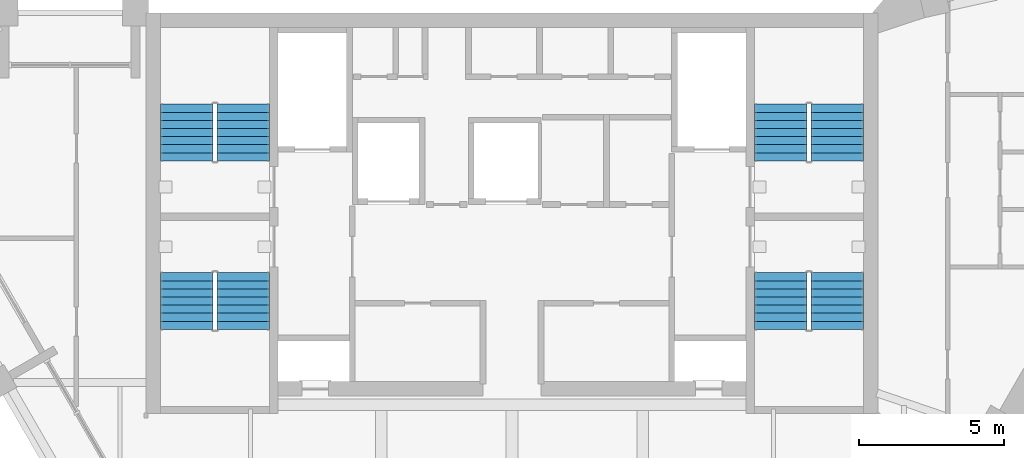
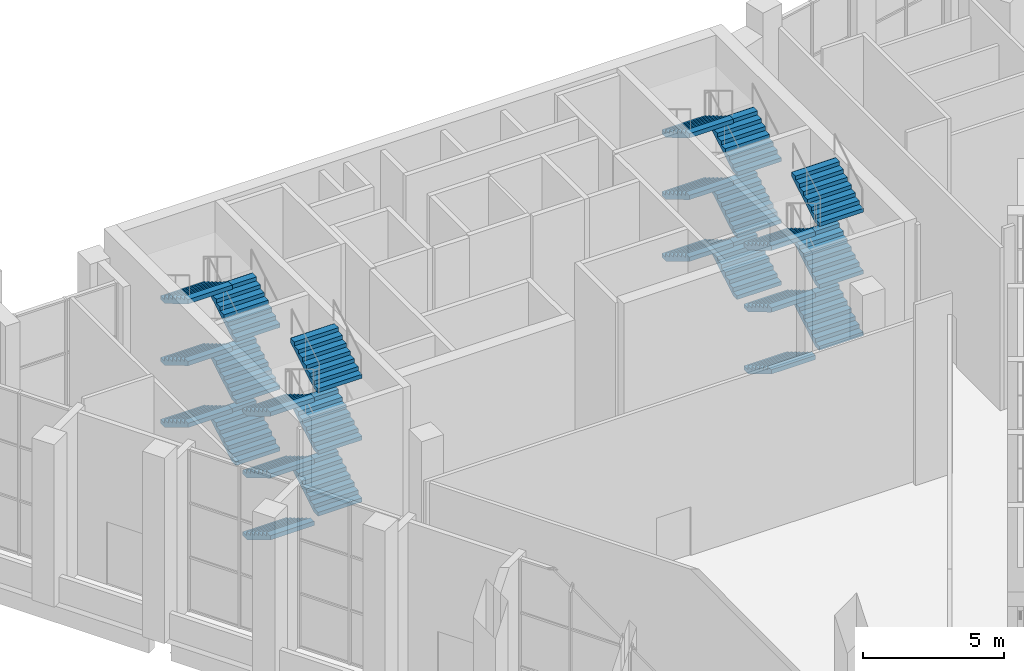
# One storey, part 14 of 16: 24 stair flights, 4 elements without a shape of their own.
"""IFC4 building model written with IfcOpenShell, lengths in metres."""

from ifc_helpers import new_model, si_unit, direction, frame, origin, place, context, subcontext, project, spatial, faceted_brep, source, transform, mapped, material, type_object, element, aggregate, save


model = new_model("IFC4")

# Units and contexts
model_context = context("Model", 3, precision=1e-05, world=origin(), true_north=direction((0.0, 1.0)))
body_context = subcontext(model_context, "Body", "Model", "MODEL_VIEW")
ifc_project = project(units=[si_unit("LENGTHUNIT", "METRE"), si_unit("AREAUNIT", "SQUARE_METRE"), si_unit("VOLUMEUNIT", "CUBIC_METRE"), si_unit("PLANEANGLEUNIT", "RADIAN"), si_unit("MASSUNIT", "GRAM", prefix="KILO")], contexts=[model_context])

# Site, building, storey
site_placement = place(None, origin())
site = spatial("IfcSite", under=ifc_project, at=site_placement, CompositionType="ELEMENT")
building_placement = place(site_placement, origin())
building = spatial("IfcBuilding", under=site, at=building_placement, Name="Calabash Gate Tower", CompositionType="ELEMENT")
storey_placement = place(building_placement, frame((0.0, 0.0, 302.5)))
storey = spatial("IfcBuildingStorey", under=building, at=storey_placement, Name="L72", CompositionType="ELEMENT", Elevation=302.5)

# Stair, stair flights
ifc_material_1 = material(Name="Concrete C40/50", Category="concrete")
stair_type = type_object("IfcStairType", Name="Exit stair 48 risers of 166.7 mm", PredefinedType="HALF_TURN_STAIR", material=ifc_material_1)
stair_1_placement = place(storey_placement, origin())
stair_1 = element("IfcStair", 1, at=stair_1_placement, inside=storey, type_object=stair_type, Name="L72 Exit stair ST1", PredefinedType="HALF_TURN_STAIR")
ifc_material_2 = material(Name="Concrete C40/50", Category="concrete")
stair_flight_type = type_object("IfcStairFlightType", Name="Exit stair flight SFL", PredefinedType="STRAIGHT", material=ifc_material_2)
shared_shape = source(origin(), body_context, "Body", "Brep", [
    faceted_brep([(-0.0009765625, -0.89990234375, 0.0), (0.292236328125, -0.89990234375, 0.0), (1.9541015625, -0.89990234375, 0.991943359375), (-0.0009765625, 0.89990234375, 0.0), (1.9541015625, 0.89990234375, 0.991943359375), (0.292236328125, 0.89990234375, 0.0), (1.9541015625, -0.89990234375, 1.1787109375), (1.952880859375, -0.89990234375, 1.1787109375), (1.952880859375, 0.89990234375, 1.1787109375), (1.9541015625, 0.89990234375, 1.1787109375), (1.952880859375, -0.89990234375, 1.166748046875), (1.952880859375, 0.89990234375, 1.166748046875), (1.674072265625, -0.89990234375, 1.166748046875), (1.674072265625, 0.89990234375, 1.166748046875), (1.674072265625, -0.89990234375, 1.0), (1.674072265625, 0.89990234375, 1.0), (1.39501953125, -0.89990234375, 1.0), (1.39501953125, 0.89990234375, 1.0), (1.39501953125, -0.89990234375, 0.833251953125), (1.39501953125, 0.89990234375, 0.833251953125), (1.115966796875, -0.89990234375, 0.833251953125), (1.115966796875, -0.89990234375, 0.666748046875), (1.115966796875, 0.89990234375, 0.666748046875), (1.115966796875, 0.89990234375, 0.833251953125), (0.8369140625, -0.89990234375, 0.666748046875), (0.8369140625, -0.89990234375, 0.5), (0.8369140625, 0.89990234375, 0.5), (0.8369140625, 0.89990234375, 0.666748046875), (0.55810546875, -0.89990234375, 0.5), (0.55810546875, -0.89990234375, 0.333251953125), (0.55810546875, 0.89990234375, 0.333251953125), (0.55810546875, 0.89990234375, 0.5), (0.279052734375, -0.89990234375, 0.333251953125), (0.279052734375, -0.89990234375, 0.166748046875), (0.279052734375, 0.89990234375, 0.166748046875), (0.279052734375, 0.89990234375, 0.333251953125), (-0.0009765625, -0.89990234375, 0.166748046875), (-0.0009765625, 0.89990234375, 0.166748046875), (0.292236328125, -0.360107421875, 0.0), (1.9541015625, -0.360107421875, 0.991943359375), (0.292236328125, -0.27001953125, 0.0), (1.9541015625, -0.27001953125, 0.991943359375), (0.292236328125, -0.179931640625, 0.0), (1.9541015625, -0.179931640625, 0.991943359375), (0.292236328125, -0.090087890625, 0.0), (1.9541015625, -0.090087890625, 0.991943359375), (0.292236328125, 0.0, 0.0), (1.9541015625, 0.0, 0.991943359375), (0.292236328125, 0.090087890625, 0.0), (1.9541015625, 0.090087890625, 0.991943359375), (0.292236328125, 0.179931640625, 0.0), (1.9541015625, 0.179931640625, 0.991943359375), (0.292236328125, 0.27001953125, 0.0), (1.9541015625, 0.27001953125, 0.991943359375), (0.292236328125, 0.360107421875, 0.0), (1.9541015625, 0.360107421875, 0.991943359375), (1.9541015625, -0.360107421875, 1.1787109375), (1.9541015625, -0.27001953125, 1.1787109375), (1.9541015625, -0.179931640625, 1.1787109375), (1.9541015625, -0.090087890625, 1.1787109375), (1.9541015625, 0.0, 1.1787109375), (1.9541015625, 0.090087890625, 1.1787109375), (1.9541015625, 0.179931640625, 1.1787109375), (1.9541015625, 0.27001953125, 1.1787109375), (1.9541015625, 0.360107421875, 1.1787109375), (1.952880859375, -0.360107421875, 1.1787109375), (1.952880859375, -0.27001953125, 1.1787109375), (1.952880859375, -0.179931640625, 1.1787109375), (1.952880859375, -0.090087890625, 1.1787109375), (1.952880859375, 0.0, 1.1787109375), (1.952880859375, 0.090087890625, 1.1787109375), (1.952880859375, 0.179931640625, 1.1787109375), (1.952880859375, 0.27001953125, 1.1787109375), (1.952880859375, 0.360107421875, 1.1787109375), (1.952880859375, -0.360107421875, 1.166748046875), (1.952880859375, -0.27001953125, 1.166748046875), (1.952880859375, -0.179931640625, 1.166748046875), (1.952880859375, -0.090087890625, 1.166748046875), (1.952880859375, 0.0, 1.166748046875), (1.952880859375, 0.090087890625, 1.166748046875), (1.952880859375, 0.179931640625, 1.166748046875), (1.952880859375, 0.27001953125, 1.166748046875), (1.952880859375, 0.360107421875, 1.166748046875), (1.674072265625, -0.360107421875, 1.166748046875), (1.674072265625, -0.27001953125, 1.166748046875), (1.674072265625, -0.179931640625, 1.166748046875), (1.674072265625, -0.090087890625, 1.166748046875), (1.674072265625, 0.0, 1.166748046875), (1.674072265625, 0.090087890625, 1.166748046875), (1.674072265625, 0.179931640625, 1.166748046875), (1.674072265625, 0.27001953125, 1.166748046875), (1.674072265625, 0.360107421875, 1.166748046875), (1.674072265625, -0.360107421875, 1.0), (1.674072265625, -0.27001953125, 1.0), (1.674072265625, -0.179931640625, 1.0), (1.674072265625, -0.090087890625, 1.0), (1.674072265625, 0.0, 1.0), (1.674072265625, 0.090087890625, 1.0), (1.674072265625, 0.179931640625, 1.0), (1.674072265625, 0.27001953125, 1.0), (1.674072265625, 0.360107421875, 1.0), (1.39501953125, -0.360107421875, 1.0), (1.39501953125, -0.27001953125, 1.0), (1.39501953125, -0.179931640625, 1.0), (1.39501953125, -0.090087890625, 1.0), (1.39501953125, 0.0, 1.0), (1.39501953125, 0.090087890625, 1.0), (1.39501953125, 0.179931640625, 1.0), (1.39501953125, 0.27001953125, 1.0), (1.39501953125, 0.360107421875, 1.0), (1.39501953125, -0.360107421875, 0.833251953125), (1.39501953125, -0.27001953125, 0.833251953125), (1.39501953125, -0.179931640625, 0.833251953125), (1.39501953125, -0.090087890625, 0.833251953125), (1.39501953125, 0.0, 0.833251953125), (1.39501953125, 0.090087890625, 0.833251953125), (1.39501953125, 0.179931640625, 0.833251953125), (1.39501953125, 0.27001953125, 0.833251953125), (1.39501953125, 0.360107421875, 0.833251953125), (1.115966796875, -0.360107421875, 0.833251953125), (1.115966796875, -0.27001953125, 0.833251953125), (1.115966796875, -0.179931640625, 0.833251953125), (1.115966796875, -0.090087890625, 0.833251953125), (1.115966796875, 0.0, 0.833251953125), (1.115966796875, 0.090087890625, 0.833251953125), (1.115966796875, 0.179931640625, 0.833251953125), (1.115966796875, 0.27001953125, 0.833251953125), (1.115966796875, 0.360107421875, 0.833251953125), (1.115966796875, -0.360107421875, 0.666748046875), (1.115966796875, -0.27001953125, 0.666748046875), (1.115966796875, -0.179931640625, 0.666748046875), (1.115966796875, -0.090087890625, 0.666748046875), (1.115966796875, 0.0, 0.666748046875), (1.115966796875, 0.090087890625, 0.666748046875), (1.115966796875, 0.179931640625, 0.666748046875), (1.115966796875, 0.27001953125, 0.666748046875), (1.115966796875, 0.360107421875, 0.666748046875), (0.8369140625, -0.360107421875, 0.666748046875), (0.8369140625, -0.27001953125, 0.666748046875), (0.8369140625, -0.179931640625, 0.666748046875), (0.8369140625, -0.090087890625, 0.666748046875), (0.8369140625, 0.0, 0.666748046875), (0.8369140625, 0.090087890625, 0.666748046875), (0.8369140625, 0.179931640625, 0.666748046875), (0.8369140625, 0.27001953125, 0.666748046875), (0.8369140625, 0.360107421875, 0.666748046875), (0.8369140625, -0.360107421875, 0.5), (0.8369140625, -0.27001953125, 0.5), (0.8369140625, -0.179931640625, 0.5), (0.8369140625, -0.090087890625, 0.5), (0.8369140625, 0.0, 0.5), (0.8369140625, 0.090087890625, 0.5), (0.8369140625, 0.179931640625, 0.5), (0.8369140625, 0.27001953125, 0.5), (0.8369140625, 0.360107421875, 0.5), (0.55810546875, -0.360107421875, 0.5), (0.55810546875, -0.27001953125, 0.5), (0.55810546875, -0.179931640625, 0.5), (0.55810546875, -0.090087890625, 0.5), (0.55810546875, 0.0, 0.5), (0.55810546875, 0.090087890625, 0.5), (0.55810546875, 0.179931640625, 0.5), (0.55810546875, 0.27001953125, 0.5), (0.55810546875, 0.360107421875, 0.5), (0.55810546875, -0.360107421875, 0.333251953125), (0.55810546875, -0.27001953125, 0.333251953125), (0.55810546875, -0.179931640625, 0.333251953125), (0.55810546875, -0.090087890625, 0.333251953125), (0.55810546875, 0.0, 0.333251953125), (0.55810546875, 0.090087890625, 0.333251953125), (0.55810546875, 0.179931640625, 0.333251953125), (0.55810546875, 0.27001953125, 0.333251953125), (0.55810546875, 0.360107421875, 0.333251953125), (0.279052734375, -0.360107421875, 0.333251953125), (0.279052734375, -0.27001953125, 0.333251953125), (0.279052734375, -0.179931640625, 0.333251953125), (0.279052734375, -0.090087890625, 0.333251953125), (0.279052734375, 0.0, 0.333251953125), (0.279052734375, 0.090087890625, 0.333251953125), (0.279052734375, 0.179931640625, 0.333251953125), (0.279052734375, 0.27001953125, 0.333251953125), (0.279052734375, 0.360107421875, 0.333251953125), (0.279052734375, -0.360107421875, 0.166748046875), (0.279052734375, -0.27001953125, 0.166748046875), (0.279052734375, -0.179931640625, 0.166748046875), (0.279052734375, -0.090087890625, 0.166748046875), (0.279052734375, 0.0, 0.166748046875), (0.279052734375, 0.090087890625, 0.166748046875), (0.279052734375, 0.179931640625, 0.166748046875), (0.279052734375, 0.27001953125, 0.166748046875), (0.279052734375, 0.360107421875, 0.166748046875), (-0.0009765625, -0.360107421875, 0.166748046875), (-0.0009765625, -0.27001953125, 0.166748046875), (-0.0009765625, -0.179931640625, 0.166748046875), (-0.0009765625, -0.090087890625, 0.166748046875), (-0.0009765625, 0.0, 0.166748046875), (-0.0009765625, 0.090087890625, 0.166748046875), (-0.0009765625, 0.179931640625, 0.166748046875), (-0.0009765625, 0.27001953125, 0.166748046875), (-0.0009765625, 0.360107421875, 0.166748046875), (-0.0009765625, -0.360107421875, 0.0), (-0.0009765625, -0.27001953125, 0.0), (-0.0009765625, -0.179931640625, 0.0), (-0.0009765625, -0.090087890625, 0.0), (-0.0009765625, 0.0, 0.0), (-0.0009765625, 0.090087890625, 0.0), (-0.0009765625, 0.179931640625, 0.0), (-0.0009765625, 0.27001953125, 0.0), (-0.0009765625, 0.360107421875, 0.0)], [[[0, 1, 2]], [[3, 4, 5]], [[2, 6, 7]], [[4, 8, 9]], [[2, 7, 10]], [[4, 11, 8]], [[2, 10, 12]], [[4, 13, 11]], [[2, 12, 14]], [[4, 15, 13]], [[2, 14, 16]], [[4, 17, 15]], [[2, 16, 18]], [[4, 19, 17]], [[18, 20, 21]], [[19, 22, 23]], [[2, 18, 21]], [[4, 22, 19]], [[21, 24, 25]], [[22, 26, 27]], [[2, 21, 25]], [[4, 26, 22]], [[25, 28, 29]], [[26, 30, 31]], [[2, 25, 29]], [[4, 30, 26]], [[29, 32, 33]], [[30, 34, 35]], [[2, 29, 33]], [[4, 34, 30]], [[0, 2, 33]], [[3, 34, 4]], [[33, 36, 0]], [[34, 3, 37]], [[1, 38, 2]], [[38, 39, 2]], [[38, 40, 39]], [[40, 41, 39]], [[40, 42, 41]], [[42, 43, 41]], [[42, 44, 43]], [[44, 45, 43]], [[44, 46, 45]], [[46, 47, 45]], [[46, 48, 49]], [[46, 49, 47]], [[48, 50, 51]], [[48, 51, 49]], [[50, 52, 53]], [[50, 53, 51]], [[52, 54, 55]], [[52, 55, 53]], [[54, 5, 4]], [[54, 4, 55]], [[2, 39, 6]], [[39, 56, 6]], [[39, 41, 56]], [[41, 57, 56]], [[41, 43, 57]], [[43, 58, 57]], [[43, 45, 58]], [[45, 59, 58]], [[45, 47, 59]], [[47, 60, 59]], [[47, 49, 61]], [[47, 61, 60]], [[49, 51, 62]], [[49, 62, 61]], [[51, 53, 63]], [[51, 63, 62]], [[53, 55, 64]], [[53, 64, 63]], [[55, 4, 9]], [[55, 9, 64]], [[6, 56, 7]], [[56, 65, 7]], [[56, 57, 65]], [[57, 66, 65]], [[57, 58, 66]], [[58, 67, 66]], [[58, 59, 67]], [[59, 68, 67]], [[59, 60, 68]], [[60, 69, 68]], [[60, 61, 70]], [[60, 70, 69]], [[61, 62, 71]], [[61, 71, 70]], [[62, 63, 72]], [[62, 72, 71]], [[63, 64, 73]], [[63, 73, 72]], [[64, 9, 8]], [[64, 8, 73]], [[7, 65, 10]], [[65, 74, 10]], [[65, 66, 74]], [[66, 75, 74]], [[66, 67, 75]], [[67, 76, 75]], [[67, 68, 76]], [[68, 77, 76]], [[68, 69, 77]], [[69, 78, 77]], [[69, 70, 79]], [[69, 79, 78]], [[70, 71, 80]], [[70, 80, 79]], [[71, 72, 81]], [[71, 81, 80]], [[72, 73, 82]], [[72, 82, 81]], [[73, 8, 11]], [[73, 11, 82]], [[10, 74, 12]], [[74, 83, 12]], [[74, 75, 83]], [[75, 84, 83]], [[75, 76, 84]], [[76, 85, 84]], [[76, 77, 85]], [[77, 86, 85]], [[77, 78, 86]], [[78, 87, 86]], [[78, 79, 88]], [[78, 88, 87]], [[79, 80, 89]], [[79, 89, 88]], [[80, 81, 90]], [[80, 90, 89]], [[81, 82, 91]], [[81, 91, 90]], [[82, 11, 13]], [[82, 13, 91]], [[12, 83, 14]], [[83, 92, 14]], [[83, 84, 92]], [[84, 93, 92]], [[84, 85, 93]], [[85, 94, 93]], [[85, 86, 94]], [[86, 95, 94]], [[86, 87, 95]], [[87, 96, 95]], [[87, 88, 97]], [[87, 97, 96]], [[88, 89, 98]], [[88, 98, 97]], [[89, 90, 99]], [[89, 99, 98]], [[90, 91, 100]], [[90, 100, 99]], [[91, 13, 15]], [[91, 15, 100]], [[14, 92, 16]], [[92, 101, 16]], [[92, 93, 101]], [[93, 102, 101]], [[93, 94, 102]], [[94, 103, 102]], [[94, 95, 103]], [[95, 104, 103]], [[95, 96, 104]], [[96, 105, 104]], [[96, 97, 106]], [[96, 106, 105]], [[97, 98, 107]], [[97, 107, 106]], [[98, 99, 108]], [[98, 108, 107]], [[99, 100, 109]], [[99, 109, 108]], [[100, 15, 17]], [[100, 17, 109]], [[16, 101, 18]], [[101, 110, 18]], [[101, 102, 110]], [[102, 111, 110]], [[102, 103, 111]], [[103, 112, 111]], [[103, 104, 112]], [[104, 113, 112]], [[104, 105, 113]], [[105, 114, 113]], [[105, 106, 115]], [[105, 115, 114]], [[106, 107, 116]], [[106, 116, 115]], [[107, 108, 117]], [[107, 117, 116]], [[108, 109, 118]], [[108, 118, 117]], [[109, 17, 19]], [[109, 19, 118]], [[18, 110, 20]], [[110, 119, 20]], [[110, 111, 119]], [[111, 120, 119]], [[111, 112, 120]], [[112, 121, 120]], [[112, 113, 121]], [[113, 122, 121]], [[113, 114, 122]], [[114, 123, 122]], [[114, 115, 124]], [[114, 124, 123]], [[115, 116, 125]], [[115, 125, 124]], [[116, 117, 126]], [[116, 126, 125]], [[117, 118, 127]], [[117, 127, 126]], [[118, 19, 23]], [[118, 23, 127]], [[20, 119, 21]], [[119, 128, 21]], [[119, 120, 128]], [[120, 129, 128]], [[120, 121, 129]], [[121, 130, 129]], [[121, 122, 130]], [[122, 131, 130]], [[122, 123, 131]], [[123, 132, 131]], [[123, 124, 133]], [[123, 133, 132]], [[124, 125, 134]], [[124, 134, 133]], [[125, 126, 135]], [[125, 135, 134]], [[126, 127, 136]], [[126, 136, 135]], [[127, 23, 22]], [[127, 22, 136]], [[21, 128, 24]], [[128, 137, 24]], [[128, 129, 137]], [[129, 138, 137]], [[129, 130, 138]], [[130, 139, 138]], [[130, 131, 139]], [[131, 140, 139]], [[131, 132, 140]], [[132, 141, 140]], [[132, 133, 142]], [[132, 142, 141]], [[133, 134, 143]], [[133, 143, 142]], [[134, 135, 144]], [[134, 144, 143]], [[135, 136, 145]], [[135, 145, 144]], [[136, 22, 27]], [[136, 27, 145]], [[24, 137, 25]], [[137, 146, 25]], [[137, 138, 146]], [[138, 147, 146]], [[138, 139, 147]], [[139, 148, 147]], [[139, 140, 148]], [[140, 149, 148]], [[140, 141, 149]], [[141, 150, 149]], [[141, 142, 151]], [[141, 151, 150]], [[142, 143, 152]], [[142, 152, 151]], [[143, 144, 153]], [[143, 153, 152]], [[144, 145, 154]], [[144, 154, 153]], [[145, 27, 26]], [[145, 26, 154]], [[25, 146, 28]], [[146, 155, 28]], [[146, 147, 155]], [[147, 156, 155]], [[147, 148, 156]], [[148, 157, 156]], [[148, 149, 157]], [[149, 158, 157]], [[149, 150, 158]], [[150, 159, 158]], [[150, 151, 160]], [[150, 160, 159]], [[151, 152, 161]], [[151, 161, 160]], [[152, 153, 162]], [[152, 162, 161]], [[153, 154, 163]], [[153, 163, 162]], [[154, 26, 31]], [[154, 31, 163]], [[28, 155, 29]], [[155, 164, 29]], [[155, 156, 164]], [[156, 165, 164]], [[156, 157, 165]], [[157, 166, 165]], [[157, 158, 166]], [[158, 167, 166]], [[158, 159, 167]], [[159, 168, 167]], [[159, 160, 169]], [[159, 169, 168]], [[160, 161, 170]], [[160, 170, 169]], [[161, 162, 171]], [[161, 171, 170]], [[162, 163, 172]], [[162, 172, 171]], [[163, 31, 30]], [[163, 30, 172]], [[29, 164, 32]], [[164, 173, 32]], [[164, 165, 173]], [[165, 174, 173]], [[165, 166, 174]], [[166, 175, 174]], [[166, 167, 175]], [[167, 176, 175]], [[167, 168, 176]], [[168, 177, 176]], [[168, 169, 178]], [[168, 178, 177]], [[169, 170, 179]], [[169, 179, 178]], [[170, 171, 180]], [[170, 180, 179]], [[171, 172, 181]], [[171, 181, 180]], [[172, 30, 35]], [[172, 35, 181]], [[32, 173, 33]], [[173, 182, 33]], [[173, 174, 182]], [[174, 183, 182]], [[174, 175, 183]], [[175, 184, 183]], [[175, 176, 184]], [[176, 185, 184]], [[176, 177, 185]], [[177, 186, 185]], [[177, 178, 187]], [[177, 187, 186]], [[178, 179, 188]], [[178, 188, 187]], [[179, 180, 189]], [[179, 189, 188]], [[180, 181, 190]], [[180, 190, 189]], [[181, 35, 34]], [[181, 34, 190]], [[33, 182, 36]], [[182, 191, 36]], [[182, 183, 191]], [[183, 192, 191]], [[183, 184, 192]], [[184, 193, 192]], [[184, 185, 193]], [[185, 194, 193]], [[185, 186, 194]], [[186, 195, 194]], [[186, 187, 196]], [[186, 196, 195]], [[187, 188, 197]], [[187, 197, 196]], [[188, 189, 198]], [[188, 198, 197]], [[189, 190, 199]], [[189, 199, 198]], [[190, 34, 37]], [[190, 37, 199]], [[36, 191, 0]], [[191, 200, 0]], [[191, 192, 200]], [[192, 201, 200]], [[192, 193, 201]], [[193, 202, 201]], [[193, 194, 202]], [[194, 203, 202]], [[194, 195, 203]], [[195, 204, 203]], [[195, 196, 205]], [[195, 205, 204]], [[196, 197, 206]], [[196, 206, 205]], [[197, 198, 207]], [[197, 207, 206]], [[198, 199, 208]], [[198, 208, 207]], [[199, 37, 3]], [[199, 3, 208]], [[0, 200, 1]], [[200, 38, 1]], [[200, 201, 38]], [[201, 40, 38]], [[201, 202, 40]], [[202, 42, 40]], [[202, 203, 42]], [[203, 44, 42]], [[203, 204, 44]], [[204, 46, 44]], [[204, 205, 48]], [[204, 48, 46]], [[205, 206, 50]], [[205, 50, 48]], [[206, 207, 52]], [[206, 52, 50]], [[207, 208, 54]], [[207, 54, 52]], [[208, 3, 5]], [[208, 5, 54]]]),
])
stair_flight_1_placement = place(storey_placement, frame((-9.25, 13.95263671875, 0.0), z_axis=(0.0, 0.0, 1.0), x_axis=(0.0, 1.0, 0.0)))
stair_flight_1 = element("IfcStairFlight", 2, at=stair_flight_1_placement, type_object=stair_flight_type, Name="ST1 flight 1", NumberOfRisers=8, NumberOfTreads=7, PredefinedType="STRAIGHT", RiserHeight=0.166666667, TreadLength=0.279, context=body_context, shape_type="MappedRepresentation", body=[
    mapped(shared_shape, transform((0.0, 0.0, 0.0), scale=1.0)),
])
stair_flight_2_placement = place(storey_placement, frame((-11.199951171875, 15.905517578125, 1.333251953125), z_axis=(0.0, 0.0, 1.0), x_axis=(0.0, -1.0, 0.0)))
stair_flight_2 = element("IfcStairFlight", 3, at=stair_flight_2_placement, type_object=stair_flight_type, Name="ST1 flight 2", NumberOfRisers=8, NumberOfTreads=7, PredefinedType="STRAIGHT", RiserHeight=0.166666667, TreadLength=0.279, context=body_context, shape_type="MappedRepresentation", body=[
    mapped(shared_shape, transform((0.0, 0.0, 0.0), scale=1.0)),
])
stair_flight_3_placement = place(storey_placement, frame((-9.25, 13.95263671875, 2.666748046875), z_axis=(0.0, 0.0, 1.0), x_axis=(0.0, 1.0, 0.0)))
stair_flight_3 = element("IfcStairFlight", 4, at=stair_flight_3_placement, type_object=stair_flight_type, Name="ST1 flight 3", NumberOfRisers=8, NumberOfTreads=7, PredefinedType="STRAIGHT", RiserHeight=0.166666667, TreadLength=0.279, context=body_context, shape_type="MappedRepresentation", body=[
    mapped(shared_shape, transform((0.0, 0.0, 0.0), scale=1.0)),
])
stair_flight_4_placement = place(storey_placement, frame((-11.199951171875, 15.905517578125, 4.0), z_axis=(0.0, 0.0, 1.0), x_axis=(0.0, -1.0, 0.0)))
stair_flight_4 = element("IfcStairFlight", 5, at=stair_flight_4_placement, type_object=stair_flight_type, Name="ST1 flight 4", NumberOfRisers=8, NumberOfTreads=7, PredefinedType="STRAIGHT", RiserHeight=0.166666667, TreadLength=0.279, context=body_context, shape_type="MappedRepresentation", body=[
    mapped(shared_shape, transform((0.0, 0.0, 0.0), scale=1.0)),
])
stair_flight_5_placement = place(storey_placement, frame((-9.25, 13.95263671875, 5.333251953125), z_axis=(0.0, 0.0, 1.0), x_axis=(0.0, 1.0, 0.0)))
stair_flight_5 = element("IfcStairFlight", 6, at=stair_flight_5_placement, type_object=stair_flight_type, Name="ST1 flight 5", NumberOfRisers=8, NumberOfTreads=7, PredefinedType="STRAIGHT", RiserHeight=0.166666667, TreadLength=0.279, context=body_context, shape_type="MappedRepresentation", body=[
    mapped(shared_shape, transform((0.0, 0.0, 0.0), scale=1.0)),
])
stair_flight_6_placement = place(storey_placement, frame((-11.199951171875, 15.905517578125, 6.666748046875), z_axis=(0.0, 0.0, 1.0), x_axis=(0.0, -1.0, 0.0)))
stair_flight_6 = element("IfcStairFlight", 7, at=stair_flight_6_placement, type_object=stair_flight_type, Name="ST1 flight 6", NumberOfRisers=8, NumberOfTreads=7, PredefinedType="STRAIGHT", RiserHeight=0.166666667, TreadLength=0.279, context=body_context, shape_type="MappedRepresentation", body=[
    mapped(shared_shape, transform((0.0, 0.0, 0.0), scale=1.0)),
])
aggregate(stair_1, [stair_flight_1, stair_flight_2, stair_flight_3, stair_flight_4, stair_flight_5, stair_flight_6])

stair_2_placement = place(storey_placement, origin())
stair_2 = element("IfcStair", 8, at=stair_2_placement, inside=storey, type_object=stair_type, Name="L72 Exit stair ST2", PredefinedType="HALF_TURN_STAIR")
stair_flight_7_placement = place(storey_placement, frame((-11.199951171875, 10.1025390625, 0.0), z_axis=(0.0, 0.0, 1.0), x_axis=(0.0, -1.0, 0.0)))
stair_flight_7 = element("IfcStairFlight", 9, at=stair_flight_7_placement, type_object=stair_flight_type, Name="ST2 flight 1", NumberOfRisers=8, NumberOfTreads=7, PredefinedType="STRAIGHT", RiserHeight=0.166666667, TreadLength=0.279, context=body_context, shape_type="MappedRepresentation", body=[
    mapped(shared_shape, transform((0.0, 0.0, 0.0), scale=1.0)),
])
stair_flight_8_placement = place(storey_placement, frame((-9.25, 8.149658203125, 1.333251953125), z_axis=(0.0, 0.0, 1.0), x_axis=(0.0, 1.0, 0.0)))
stair_flight_8 = element("IfcStairFlight", 10, at=stair_flight_8_placement, type_object=stair_flight_type, Name="ST2 flight 2", NumberOfRisers=8, NumberOfTreads=7, PredefinedType="STRAIGHT", RiserHeight=0.166666667, TreadLength=0.279, context=body_context, shape_type="MappedRepresentation", body=[
    mapped(shared_shape, transform((0.0, 0.0, 0.0), scale=1.0)),
])
stair_flight_9_placement = place(storey_placement, frame((-11.199951171875, 10.1025390625, 2.666748046875), z_axis=(0.0, 0.0, 1.0), x_axis=(0.0, -1.0, 0.0)))
stair_flight_9 = element("IfcStairFlight", 11, at=stair_flight_9_placement, type_object=stair_flight_type, Name="ST2 flight 3", NumberOfRisers=8, NumberOfTreads=7, PredefinedType="STRAIGHT", RiserHeight=0.166666667, TreadLength=0.279, context=body_context, shape_type="MappedRepresentation", body=[
    mapped(shared_shape, transform((0.0, 0.0, 0.0), scale=1.0)),
])
stair_flight_10_placement = place(storey_placement, frame((-9.25, 8.149658203125, 4.0), z_axis=(0.0, 0.0, 1.0), x_axis=(0.0, 1.0, 0.0)))
stair_flight_10 = element("IfcStairFlight", 12, at=stair_flight_10_placement, type_object=stair_flight_type, Name="ST2 flight 4", NumberOfRisers=8, NumberOfTreads=7, PredefinedType="STRAIGHT", RiserHeight=0.166666667, TreadLength=0.279, context=body_context, shape_type="MappedRepresentation", body=[
    mapped(shared_shape, transform((0.0, 0.0, 0.0), scale=1.0)),
])
stair_flight_11_placement = place(storey_placement, frame((-11.199951171875, 10.1025390625, 5.333251953125), z_axis=(0.0, 0.0, 1.0), x_axis=(0.0, -1.0, 0.0)))
stair_flight_11 = element("IfcStairFlight", 13, at=stair_flight_11_placement, type_object=stair_flight_type, Name="ST2 flight 5", NumberOfRisers=8, NumberOfTreads=7, PredefinedType="STRAIGHT", RiserHeight=0.166666667, TreadLength=0.279, context=body_context, shape_type="MappedRepresentation", body=[
    mapped(shared_shape, transform((0.0, 0.0, 0.0), scale=1.0)),
])
stair_flight_12_placement = place(storey_placement, frame((-9.25, 8.149658203125, 6.666748046875), z_axis=(0.0, 0.0, 1.0), x_axis=(0.0, 1.0, 0.0)))
stair_flight_12 = element("IfcStairFlight", 14, at=stair_flight_12_placement, type_object=stair_flight_type, Name="ST2 flight 6", NumberOfRisers=8, NumberOfTreads=7, PredefinedType="STRAIGHT", RiserHeight=0.166666667, TreadLength=0.279, context=body_context, shape_type="MappedRepresentation", body=[
    mapped(shared_shape, transform((0.0, 0.0, 0.0), scale=1.0)),
])
aggregate(stair_2, [stair_flight_7, stair_flight_8, stair_flight_9, stair_flight_10, stair_flight_11, stair_flight_12])

stair_3_placement = place(storey_placement, origin())
stair_3 = element("IfcStair", 15, at=stair_3_placement, inside=storey, type_object=stair_type, Name="L72 Exit stair ST3", PredefinedType="HALF_TURN_STAIR")
stair_flight_13_placement = place(storey_placement, frame((11.199951171875, 13.95263671875, 0.0), z_axis=(0.0, 0.0, 1.0), x_axis=(0.0, 1.0, 0.0)))
stair_flight_13 = element("IfcStairFlight", 16, at=stair_flight_13_placement, type_object=stair_flight_type, Name="ST3 flight 1", NumberOfRisers=8, NumberOfTreads=7, PredefinedType="STRAIGHT", RiserHeight=0.166666667, TreadLength=0.279, context=body_context, shape_type="MappedRepresentation", body=[
    mapped(shared_shape, transform((0.0, 0.0, 0.0), scale=1.0)),
])
stair_flight_14_placement = place(storey_placement, frame((9.25, 15.905517578125, 1.333251953125), z_axis=(0.0, 0.0, 1.0), x_axis=(0.0, -1.0, 0.0)))
stair_flight_14 = element("IfcStairFlight", 17, at=stair_flight_14_placement, type_object=stair_flight_type, Name="ST3 flight 2", NumberOfRisers=8, NumberOfTreads=7, PredefinedType="STRAIGHT", RiserHeight=0.166666667, TreadLength=0.279, context=body_context, shape_type="MappedRepresentation", body=[
    mapped(shared_shape, transform((0.0, 0.0, 0.0), scale=1.0)),
])
stair_flight_15_placement = place(storey_placement, frame((11.199951171875, 13.95263671875, 2.666748046875), z_axis=(0.0, 0.0, 1.0), x_axis=(0.0, 1.0, 0.0)))
stair_flight_15 = element("IfcStairFlight", 18, at=stair_flight_15_placement, type_object=stair_flight_type, Name="ST3 flight 3", NumberOfRisers=8, NumberOfTreads=7, PredefinedType="STRAIGHT", RiserHeight=0.166666667, TreadLength=0.279, context=body_context, shape_type="MappedRepresentation", body=[
    mapped(shared_shape, transform((0.0, 0.0, 0.0), scale=1.0)),
])
stair_flight_16_placement = place(storey_placement, frame((9.25, 15.905517578125, 4.0), z_axis=(0.0, 0.0, 1.0), x_axis=(0.0, -1.0, 0.0)))
stair_flight_16 = element("IfcStairFlight", 19, at=stair_flight_16_placement, type_object=stair_flight_type, Name="ST3 flight 4", NumberOfRisers=8, NumberOfTreads=7, PredefinedType="STRAIGHT", RiserHeight=0.166666667, TreadLength=0.279, context=body_context, shape_type="MappedRepresentation", body=[
    mapped(shared_shape, transform((0.0, 0.0, 0.0), scale=1.0)),
])
stair_flight_17_placement = place(storey_placement, frame((11.199951171875, 13.95263671875, 5.333251953125), z_axis=(0.0, 0.0, 1.0), x_axis=(0.0, 1.0, 0.0)))
stair_flight_17 = element("IfcStairFlight", 20, at=stair_flight_17_placement, type_object=stair_flight_type, Name="ST3 flight 5", NumberOfRisers=8, NumberOfTreads=7, PredefinedType="STRAIGHT", RiserHeight=0.166666667, TreadLength=0.279, context=body_context, shape_type="MappedRepresentation", body=[
    mapped(shared_shape, transform((0.0, 0.0, 0.0), scale=1.0)),
])
stair_flight_18_placement = place(storey_placement, frame((9.25, 15.905517578125, 6.666748046875), z_axis=(0.0, 0.0, 1.0), x_axis=(0.0, -1.0, 0.0)))
stair_flight_18 = element("IfcStairFlight", 21, at=stair_flight_18_placement, type_object=stair_flight_type, Name="ST3 flight 6", NumberOfRisers=8, NumberOfTreads=7, PredefinedType="STRAIGHT", RiserHeight=0.166666667, TreadLength=0.279, context=body_context, shape_type="MappedRepresentation", body=[
    mapped(shared_shape, transform((0.0, 0.0, 0.0), scale=1.0)),
])
aggregate(stair_3, [stair_flight_13, stair_flight_14, stair_flight_15, stair_flight_16, stair_flight_17, stair_flight_18])

stair_4_placement = place(storey_placement, origin())
stair_4 = element("IfcStair", 22, at=stair_4_placement, inside=storey, type_object=stair_type, Name="L72 Exit stair ST4", PredefinedType="HALF_TURN_STAIR")
stair_flight_19_placement = place(storey_placement, frame((9.25, 10.1025390625, 0.0), z_axis=(0.0, 0.0, 1.0), x_axis=(0.0, -1.0, 0.0)))
stair_flight_19 = element("IfcStairFlight", 23, at=stair_flight_19_placement, type_object=stair_flight_type, Name="ST4 flight 1", NumberOfRisers=8, NumberOfTreads=7, PredefinedType="STRAIGHT", RiserHeight=0.166666667, TreadLength=0.279, context=body_context, shape_type="MappedRepresentation", body=[
    mapped(shared_shape, transform((0.0, 0.0, 0.0), scale=1.0)),
])
stair_flight_20_placement = place(storey_placement, frame((11.199951171875, 8.149658203125, 1.333251953125), z_axis=(0.0, 0.0, 1.0), x_axis=(0.0, 1.0, 0.0)))
stair_flight_20 = element("IfcStairFlight", 24, at=stair_flight_20_placement, type_object=stair_flight_type, Name="ST4 flight 2", NumberOfRisers=8, NumberOfTreads=7, PredefinedType="STRAIGHT", RiserHeight=0.166666667, TreadLength=0.279, context=body_context, shape_type="MappedRepresentation", body=[
    mapped(shared_shape, transform((0.0, 0.0, 0.0), scale=1.0)),
])
stair_flight_21_placement = place(storey_placement, frame((9.25, 10.1025390625, 2.666748046875), z_axis=(0.0, 0.0, 1.0), x_axis=(0.0, -1.0, 0.0)))
stair_flight_21 = element("IfcStairFlight", 25, at=stair_flight_21_placement, type_object=stair_flight_type, Name="ST4 flight 3", NumberOfRisers=8, NumberOfTreads=7, PredefinedType="STRAIGHT", RiserHeight=0.166666667, TreadLength=0.279, context=body_context, shape_type="MappedRepresentation", body=[
    mapped(shared_shape, transform((0.0, 0.0, 0.0), scale=1.0)),
])
stair_flight_22_placement = place(storey_placement, frame((11.199951171875, 8.149658203125, 4.0), z_axis=(0.0, 0.0, 1.0), x_axis=(0.0, 1.0, 0.0)))
stair_flight_22 = element("IfcStairFlight", 26, at=stair_flight_22_placement, type_object=stair_flight_type, Name="ST4 flight 4", NumberOfRisers=8, NumberOfTreads=7, PredefinedType="STRAIGHT", RiserHeight=0.166666667, TreadLength=0.279, context=body_context, shape_type="MappedRepresentation", body=[
    mapped(shared_shape, transform((0.0, 0.0, 0.0), scale=1.0)),
])
stair_flight_23_placement = place(storey_placement, frame((9.25, 10.1025390625, 5.333251953125), z_axis=(0.0, 0.0, 1.0), x_axis=(0.0, -1.0, 0.0)))
stair_flight_23 = element("IfcStairFlight", 27, at=stair_flight_23_placement, type_object=stair_flight_type, Name="ST4 flight 5", NumberOfRisers=8, NumberOfTreads=7, PredefinedType="STRAIGHT", RiserHeight=0.166666667, TreadLength=0.279, context=body_context, shape_type="MappedRepresentation", body=[
    mapped(shared_shape, transform((0.0, 0.0, 0.0), scale=1.0)),
])
stair_flight_24_placement = place(storey_placement, frame((11.199951171875, 8.149658203125, 6.666748046875), z_axis=(0.0, 0.0, 1.0), x_axis=(0.0, 1.0, 0.0)))
stair_flight_24 = element("IfcStairFlight", 28, at=stair_flight_24_placement, type_object=stair_flight_type, Name="ST4 flight 6", NumberOfRisers=8, NumberOfTreads=7, PredefinedType="STRAIGHT", RiserHeight=0.166666667, TreadLength=0.279, context=body_context, shape_type="MappedRepresentation", body=[
    mapped(shared_shape, transform((0.0, 0.0, 0.0), scale=1.0)),
])
aggregate(stair_4, [stair_flight_19, stair_flight_20, stair_flight_21, stair_flight_22, stair_flight_23, stair_flight_24])

save(model, "model.ifc")
